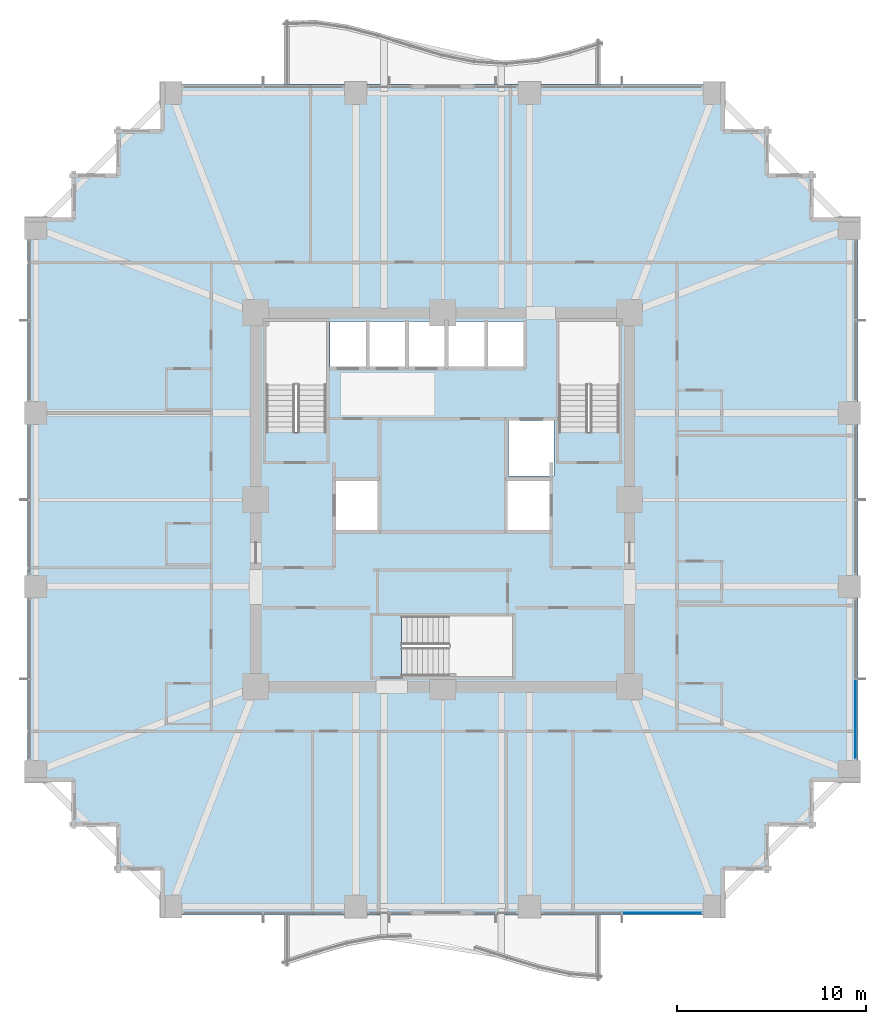
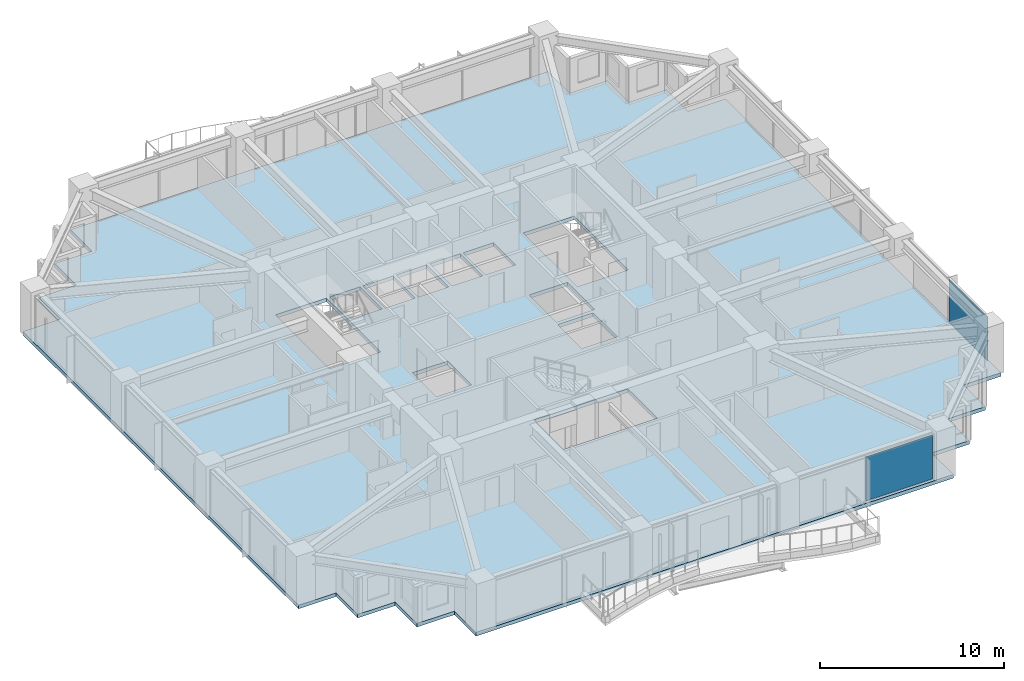
# One storey, part 28 of 38: 2 plates, 1 slab, 2 elements without a shape of their own.
"""IFC4 building model written with IfcOpenShell, lengths in metres."""

from ifc_helpers import new_model, si_unit, direction, frame, origin, origin_2d, place, context, subcontext, project, spatial, polyline, rectangle, outline, extrude, material, layer, layer_set, type_object, element, aggregate, save


model = new_model("IFC4")

# Units and contexts
model_context = context("Model", 3, precision=1e-05, world=origin(), true_north=direction((0.0, 1.0)))
body_context = subcontext(model_context, "Body", "Model", "MODEL_VIEW")
ifc_project = project(units=[si_unit("LENGTHUNIT", "METRE"), si_unit("AREAUNIT", "SQUARE_METRE"), si_unit("VOLUMEUNIT", "CUBIC_METRE"), si_unit("PLANEANGLEUNIT", "RADIAN"), si_unit("MASSUNIT", "GRAM", prefix="KILO")], contexts=[model_context])

# Site, building, storey
site_placement = place(None, origin())
site = spatial("IfcSite", under=ifc_project, at=site_placement, CompositionType="ELEMENT")
building_placement = place(site_placement, origin())
building = spatial("IfcBuilding", under=site, at=building_placement, Name="Kolvaren Belvedere", CompositionType="ELEMENT")
storey_placement = place(building_placement, frame((0.0, 0.0, 27.10009765625)))
storey = spatial("IfcBuildingStorey", under=building, at=storey_placement, Name="L07", CompositionType="ELEMENT", Elevation=27.10009765625)

# Curtain wall, plate
ifc_material_1 = material(Name="Anodised pale-metal aluminium AA 6063-T6", Category="aluminium")
curtain_wall_type = type_object("IfcCurtainWallType", Name="CW-Z1-LOW", PredefinedType="NOTDEFINED", material=ifc_material_1)
curtain_wall_1_placement = place(storey_placement, origin())
curtain_wall_1 = element("IfcCurtainWall", 1, at=curtain_wall_1_placement, inside=storey, type_object=curtain_wall_type, Name="L07 Unitised Curtain Wall FCW-L07-S1-B1", PredefinedType="NOTDEFINED")
ifc_material_2 = material(Name="Low-iron triple insulated glass", Category="glass")
ifc_layer_1 = layer(ifc_material_2, 0.028076171875)
ifc_layer_set_1 = layer_set([ifc_layer_1], Name="Low-iron triple insulated glass")
plate_type = type_object("IfcPlateType", Name="CW-PNL-VIS28", PredefinedType="CURTAIN_PANEL", material=ifc_layer_set_1)
plate_1_placement = place(storey_placement, frame((11.62255859375, -21.8798828125, 0.079833984375), z_axis=(0.0, 0.0, 1.0), x_axis=(-1.0, 0.0, 0.0)))
plate_1 = element("IfcPlate", 2, at=plate_1_placement, type_object=plate_type, Name="FCW-L07-S1-B1 Vision Glazing Panel 1", PredefinedType="CURTAIN_PANEL", context=body_context, shape_type="SweptSolid", body=[
    extrude(rectangle(XDim=4.1650390625, YDim=0.028076171875, at=origin_2d()), origin(), (0.0, 0.0, 1.0), 2.89990234375),
])
aggregate(curtain_wall_1, [plate_1])

curtain_wall_2_placement = place(storey_placement, origin())
curtain_wall_2 = element("IfcCurtainWall", 3, at=curtain_wall_2_placement, inside=storey, type_object=curtain_wall_type, Name="L07 Unitised Curtain Wall FCW-L07-E-B3", PredefinedType="NOTDEFINED")
plate_2_placement = place(storey_placement, frame((21.8798828125, -11.62255859375, 0.079833984375), z_axis=(0.0, 0.0, 1.0), x_axis=(0.0, -1.0, 0.0)))
plate_2 = element("IfcPlate", 4, at=plate_2_placement, type_object=plate_type, Name="FCW-L07-E-B3 Vision Glazing Panel 2", PredefinedType="CURTAIN_PANEL", context=body_context, shape_type="SweptSolid", body=[
    extrude(rectangle(XDim=4.1650390625, YDim=0.028076171875, at=origin_2d()), origin(), (0.0, 0.0, 1.0), 2.89990234375),
])
aggregate(curtain_wall_2, [plate_2])

# Slab
ifc_material_3 = material(Name="Concrete C50/60", Category="concrete")
ifc_layer_2 = layer(ifc_material_3, 0.239990234375)
ifc_layer_set_2 = layer_set([ifc_layer_2], Name="Concrete C50/60")
slab_type = type_object("IfcSlabType", Name="SL-FLR-240", PredefinedType="FLOOR", material=ifc_layer_set_2)
slab_placement = place(storey_placement, frame((0.0, 0.0, -0.239990234375)))
element("IfcSlab", 5, at=slab_placement, inside=storey, type_object=slab_type, Name="L07 Primary Structural Slab", PredefinedType="FLOOR", context=body_context, shape_type="SweptSolid", body=[
    extrude(outline(polyline([(-14.949951171875, -22.0), (14.949951171875, -22.0), (14.949951171875, -19.64990234375), (17.300048828125, -19.64990234375), (17.300048828125, -17.300048828125), (19.64990234375, -17.300048828125), (19.64990234375, -14.949951171875), (22.0, -14.949951171875), (22.0, 14.949951171875), (19.64990234375, 14.949951171875), (19.64990234375, 17.300048828125), (17.300048828125, 17.300048828125), (17.300048828125, 19.64990234375), (14.949951171875, 19.64990234375), (14.949951171875, 22.0), (-14.949951171875, 22.0), (-14.949951171875, 19.64990234375), (-17.300048828125, 19.64990234375), (-17.300048828125, 17.300048828125), (-19.64990234375, 17.300048828125), (-19.64990234375, 14.949951171875), (-22.0, 14.949951171875), (-22.0, -14.949951171875), (-19.64990234375, -14.949951171875), (-19.64990234375, -17.300048828125), (-17.300048828125, -17.300048828125), (-17.300048828125, -19.64990234375), (-14.949951171875, -19.64990234375), (-14.949951171875, -22.0)]), holes=[polyline([(-9.35009765625, 3.580078125), (-6.159912109375, 3.580078125), (-6.159912109375, 9.449951171875), (-9.35009765625, 9.449951171875), (-9.35009765625, 3.580078125)]), polyline([(6.159912109375, 3.580078125), (9.35009765625, 3.580078125), (9.35009765625, 9.449951171875), (6.159912109375, 9.449951171875), (6.159912109375, 3.580078125)]), polyline([(-2.169921875, -9.35009765625), (3.699951171875, -9.35009765625), (3.699951171875, -6.159912109375), (-2.169921875, -6.159912109375), (-2.169921875, -9.35009765625)]), polyline([(-5.64990234375, -1.60009765625), (-3.449951171875, -1.60009765625), (-3.449951171875, 1.0), (-5.64990234375, 1.0), (-5.64990234375, -1.60009765625)]), polyline([(3.5, 1.25), (5.89990234375, 1.25), (5.89990234375, 4.199951171875), (3.5, 4.199951171875), (3.5, 1.25)]), polyline([(3.449951171875, -1.60009765625), (5.64990234375, -1.60009765625), (5.64990234375, 1.0), (3.449951171875, 1.0), (3.449951171875, -1.60009765625)]), polyline([(-5.9599609375, 7.050048828125), (-4.06005859375, 7.050048828125), (-4.06005859375, 9.449951171875), (-5.9599609375, 9.449951171875), (-5.9599609375, 7.050048828125)]), polyline([(-3.8798828125, 7.050048828125), (-1.97998046875, 7.050048828125), (-1.97998046875, 9.449951171875), (-3.8798828125, 9.449951171875), (-3.8798828125, 7.050048828125)]), polyline([(-1.800048828125, 7.050048828125), (0.10009765625, 7.050048828125), (0.10009765625, 9.449951171875), (-1.800048828125, 9.449951171875), (-1.800048828125, 7.050048828125)]), polyline([(0.320068359375, 7.050048828125), (2.219970703125, 7.050048828125), (2.219970703125, 9.449951171875), (0.320068359375, 9.449951171875), (0.320068359375, 7.050048828125)]), polyline([(2.39990234375, 7.050048828125), (4.300048828125, 7.050048828125), (4.300048828125, 9.449951171875), (2.39990234375, 9.449951171875), (2.39990234375, 7.050048828125)])]), origin(), (0.0, 0.0, 1.0), 0.239990234375),
])

save(model, "model.ifc")
